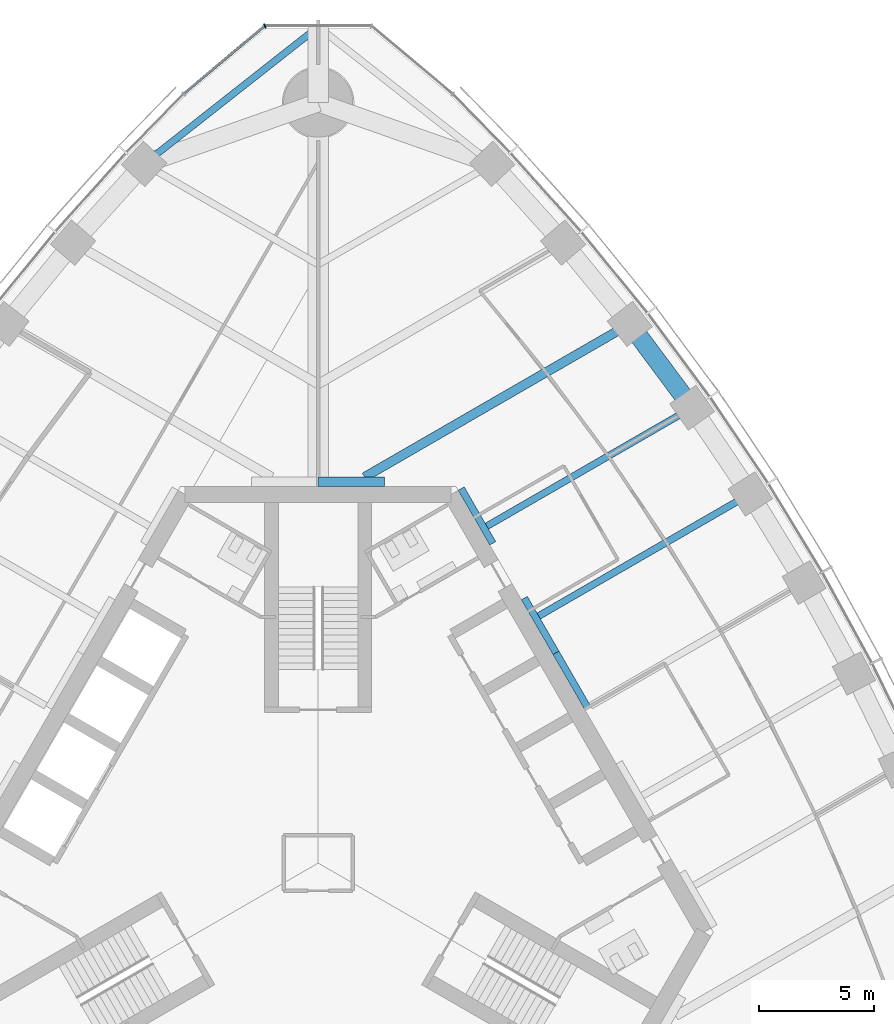
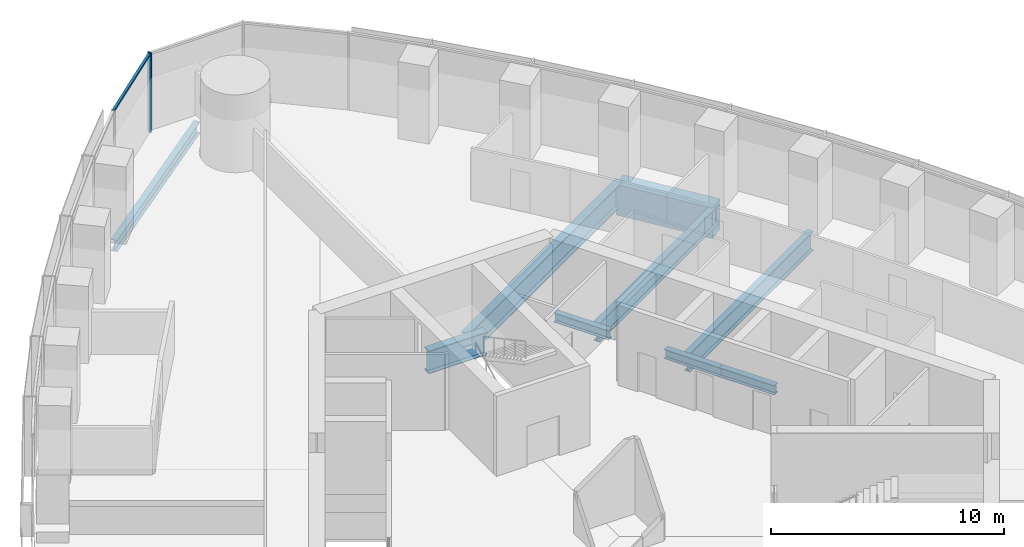
# One storey, part 6 of 19: 9 beams, 2 members, 1 element without a shape of its own.
"""IFC4 building model written with IfcOpenShell, lengths in metres."""

from ifc_helpers import new_model, si_unit, direction, frame, origin, origin_2d, place, context, subcontext, project, spatial, rectangle, i_section, extrude, material, material_profile, profile_set, type_object, element, aggregate, save


model = new_model("IFC4")

# Units and contexts
model_context = context("Model", 3, precision=1e-05, world=origin(), true_north=direction((0.0, 1.0)))
body_context = subcontext(model_context, "Body", "Model", "MODEL_VIEW")
ifc_project = project(units=[si_unit("LENGTHUNIT", "METRE"), si_unit("AREAUNIT", "SQUARE_METRE"), si_unit("VOLUMEUNIT", "CUBIC_METRE"), si_unit("PLANEANGLEUNIT", "RADIAN"), si_unit("MASSUNIT", "GRAM", prefix="KILO")], contexts=[model_context])

# Site, building, storey
site_placement = place(None, origin())
site = spatial("IfcSite", under=ifc_project, at=site_placement, CompositionType="ELEMENT")
building_placement = place(site_placement, origin())
building = spatial("IfcBuilding", under=site, at=building_placement, Name="Trefoil Bronze Tower", CompositionType="ELEMENT")
storey_placement = place(building_placement, frame((0.0, 0.0, 256.89990234375)))
storey = spatial("IfcBuildingStorey", under=building, at=storey_placement, Name="L59", CompositionType="ELEMENT", Elevation=256.89990234375)

# Curtain wall, members
ifc_material_1 = material(Name="Tinted solar-control glass", Category="glass")
curtain_wall_type = type_object("IfcCurtainWallType", Name="Bronze rounded corner curtain wall", PredefinedType="USERDEFINED", material=ifc_material_1)
curtain_wall_placement = place(storey_placement, origin())
curtain_wall = element("IfcCurtainWall", 1, at=curtain_wall_placement, inside=storey, type_object=curtain_wall_type, Name="CW-B L59 K2", ObjectType="CURTAIN WALL", PredefinedType="USERDEFINED")
ifc_material_2 = material(Name="Bronze-finish aluminium", Category="aluminium")
ifc_material_profile_1 = material_profile(ifc_material_2, rectangle(XDim=0.199951171875, YDim=0.06005859375, at=origin_2d()), Name="CW-B mullion")
ifc_profile_set_1 = profile_set([ifc_material_profile_1], Name="Bronze-finish aluminium")
member_type_1 = type_object("IfcMemberType", Name="Bronze rounded corner curtain wall mullion", PredefinedType="MULLION", material=ifc_profile_set_1)
member_1_placement = place(storey_placement, frame((-2.314453125, 36.326416015625, 0.0), z_axis=(0.0, 0.0, 1.0), x_axis=(0.342020143326, -0.939692620786, 0.0)))
member_1 = element("IfcMember", 2, at=member_1_placement, type_object=member_type_1, Name="CW-B L59 K2 mullion 3", PredefinedType="MULLION", context=body_context, shape_type="SweptSolid", body=[
    extrude(rectangle(XDim=0.199951171875, YDim=0.06005859375, at=origin_2d()), origin(), (0.0, 0.0, 1.0), 4.18017578125),
])
ifc_material_3 = material(Name="Bronze-finish aluminium", Category="aluminium")
ifc_material_profile_2 = material_profile(ifc_material_3, rectangle(XDim=0.1201171875, YDim=0.10009765625, at=origin_2d()), Name="CW-B transom")
ifc_profile_set_2 = profile_set([ifc_material_profile_2], Name="Bronze-finish aluminium")
member_type_2 = type_object("IfcMemberType", Name="Bronze rounded corner curtain wall transom", PredefinedType="USERDEFINED", material=ifc_profile_set_2)
member_2_placement = place(storey_placement, frame((-2.367431640625, 36.289794921875, 4.130126953125), z_axis=(-0.766046761698, -0.642784846501, 0.0), x_axis=(0.642784846501, -0.766046761698, 0.0)))
member_2 = element("IfcMember", 3, at=member_2_placement, type_object=member_type_2, Name="CW-B L59 K2 transom 3", ObjectType="TRANSOM", PredefinedType="USERDEFINED", context=body_context, shape_type="SweptSolid", body=[
    extrude(rectangle(XDim=0.1201171875, YDim=0.10009765625, at=origin_2d()), origin(), (0.0, 0.0, 1.0), 4.5),
])
aggregate(curtain_wall, [member_1, member_2])

# Beams
ifc_material_4 = material(Name="Steel C355", Category="steel")
ifc_material_profile_3 = material_profile(ifc_material_4, i_section(OverallWidth=0.300048828125, OverallDepth=0.5, WebThickness=0.014404296875, FlangeThickness=0.028076171875, FilletRadius=0.027099609375, at=origin_2d()), Name="HEB 500")
ifc_profile_set_3 = profile_set([ifc_material_profile_3], Name="Steel C355")
beam_type_1 = type_object("IfcBeamType", Name="Core seat beam HEB 500", PredefinedType="BEAM", material=ifc_profile_set_3)
for number, where, z_axis, x_axis, name in (
    (4, (11.69140625, 6.75, -0.449951171875), (-0.500035825175, 0.866004719122, 0.0), (-0.866004719122, -0.500035825175, 0.0), "Core seat beam F2/+0 L59"),
    (5, (10.320068359375, 9.125, -0.449951171875), (-0.499969057507, 0.866043267704, 0.0), (-0.866043267704, -0.499969057507, 0.0), "Core seat beam F2/+1 L59"),
    (6, (7.57763671875, 13.875, -0.449951171875), (-0.499969057507, 0.866043267704, 0.0), (-0.866043267704, -0.499969057507, 0.0), "Core seat beam F2/+2 L59"),
):
    element("IfcBeam", number, at=place(storey_placement, frame(where, z_axis=z_axis, x_axis=x_axis)), inside=storey, type_object=beam_type_1, Name=name, PredefinedType="BEAM", context=body_context, shape_type="SweptSolid", body=[
        extrude(i_section(OverallWidth=0.300048828125, OverallDepth=0.5, WebThickness=0.014404296875, FlangeThickness=0.028076171875, FilletRadius=0.027099609375, at=origin_2d()), origin(), (0.0, 0.0, 1.0), 2.742431640625),
    ])
ifc_material_5 = material(Name="Steel C355", Category="steel")
ifc_material_profile_4 = material_profile(ifc_material_5, i_section(OverallWidth=0.39990234375, OverallDepth=1.199951171875, WebThickness=0.02001953125, FlangeThickness=0.0400390625, FilletRadius=0.010009765625, at=origin_2d()), Name="WPG 1200")
ifc_profile_set_4 = profile_set([ifc_material_profile_4], Name="Steel C355")
beam_type_2 = type_object("IfcBeamType", Name="Core seat beam WPG 1200", PredefinedType="BEAM", material=ifc_profile_set_4)
beam_1_placement = place(storey_placement, frame((2.88671875, 16.550048828125, -0.7998046875), z_axis=(-1.0, 0.0, 0.0), x_axis=(0.0, -1.0, 0.0)))
element("IfcBeam", 7, at=beam_1_placement, inside=storey, type_object=beam_type_2, Name="Core seat beam F2/+3 L59", PredefinedType="BEAM", context=body_context, shape_type="SweptSolid", body=[
    extrude(i_section(OverallWidth=0.39990234375, OverallDepth=1.199951171875, WebThickness=0.02001953125, FlangeThickness=0.0400390625, FilletRadius=0.010009765625, at=origin_2d()), origin(), (0.0, 0.0, 1.0), 2.88671875),
])
ifc_material_6 = material(Name="Steel C355", Category="steel")
ifc_material_profile_5 = material_profile(ifc_material_6, i_section(OverallWidth=0.300048828125, OverallDepth=0.60009765625, WebThickness=0.015380859375, FlangeThickness=0.030029296875, FilletRadius=0.027099609375, at=origin_2d()), Name="HEB 600")
ifc_profile_set_5 = profile_set([ifc_material_profile_5], Name="Steel C355")
beam_type_3 = type_object("IfcBeamType", Name="Corner edge beam HEB 600", PredefinedType="BEAM", material=ifc_profile_set_5)
beam_2_placement = place(storey_placement, frame((-7.552001953125, 30.3408203125, -0.5), z_axis=(0.785805912008, 0.618473175371, 0.0), x_axis=(-0.618473175371, 0.785805912008, 0.0)))
element("IfcBeam", 8, at=beam_2_placement, inside=storey, type_object=beam_type_3, Name="Corner edge beam F3B L59", PredefinedType="BEAM", context=body_context, shape_type="SweptSolid", body=[
    extrude(i_section(OverallWidth=0.300048828125, OverallDepth=0.60009765625, WebThickness=0.015380859375, FlangeThickness=0.030029296875, FilletRadius=0.027099609375, at=origin_2d()), origin(), (0.0, 0.0, 1.0), 9.610595703125),
])
ifc_material_7 = material(Name="Steel C355", Category="steel")
ifc_material_profile_6 = material_profile(ifc_material_7, i_section(OverallWidth=0.300048828125, OverallDepth=1.0, WebThickness=0.01904296875, FlangeThickness=0.035888671875, FilletRadius=0.030029296875, at=origin_2d()), Name="HEB 1000")
ifc_profile_set_6 = profile_set([ifc_material_profile_6], Name="Steel C355")
beam_type_4 = type_object("IfcBeamType", Name="Floor beam HEB 1000", PredefinedType="BEAM", material=ifc_profile_set_6)
beam_3_placement = place(storey_placement, frame((16.2265625, 19.7607421875, -0.699951171875), z_axis=(-0.866019527493, -0.500010177898, 0.0), x_axis=(0.500010177898, -0.866019527493, 0.0)))
element("IfcBeam", 9, at=beam_3_placement, inside=storey, type_object=beam_type_4, Name="Floor beam F2/+2 L59", PredefinedType="BEAM", context=body_context, shape_type="SweptSolid", body=[
    extrude(i_section(OverallWidth=0.300048828125, OverallDepth=1.0, WebThickness=0.01904296875, FlangeThickness=0.035888671875, FilletRadius=0.030029296875, at=origin_2d()), origin(), (0.0, 0.0, 1.0), 10.282958984375),
])
ifc_material_8 = material(Name="Steel C355", Category="steel")
ifc_material_profile_7 = material_profile(ifc_material_8, i_section(OverallWidth=0.302001953125, OverallDepth=1.008056640625, WebThickness=0.02099609375, FlangeThickness=0.0400390625, FilletRadius=0.030029296875, at=origin_2d()), Name="HEM 1000")
ifc_profile_set_7 = profile_set([ifc_material_profile_7], Name="Steel C355")
beam_type_5 = type_object("IfcBeamType", Name="Floor beam HEM 1000", PredefinedType="BEAM", material=ifc_profile_set_7)
beam_4_placement = place(storey_placement, frame((18.748046875, 16.020263671875, -0.703857421875), z_axis=(-0.86602981261, -0.499992363612, 0.0), x_axis=(0.499992363612, -0.86602981261, 0.0)))
element("IfcBeam", 10, at=beam_4_placement, inside=storey, type_object=beam_type_5, Name="Floor beam F2/+1 L59", PredefinedType="BEAM", context=body_context, shape_type="SweptSolid", body=[
    extrude(i_section(OverallWidth=0.302001953125, OverallDepth=1.008056640625, WebThickness=0.02099609375, FlangeThickness=0.0400390625, FilletRadius=0.030029296875, at=origin_2d()), origin(), (0.0, 0.0, 1.0), 10.596435546875),
])
ifc_material_9 = material(Name="Steel C355", Category="steel")
ifc_material_profile_8 = material_profile(ifc_material_9, i_section(OverallWidth=0.39990234375, OverallDepth=1.199951171875, WebThickness=0.02001953125, FlangeThickness=0.0400390625, FilletRadius=0.010009765625, at=origin_2d()), Name="WPG 1200")
ifc_profile_set_8 = profile_set([ifc_material_profile_8], Name="Steel C355")
beam_type_6 = type_object("IfcBeamType", Name="Floor beam WPG 1200", PredefinedType="BEAM", material=ifc_profile_set_8)
beam_5_placement = place(storey_placement, frame((13.522216796875, 23.3955078125, -0.7998046875), z_axis=(-0.866023461342, -0.500003364394, 0.0), x_axis=(0.500003364394, -0.866023461342, 0.0)))
element("IfcBeam", 11, at=beam_5_placement, inside=storey, type_object=beam_type_6, Name="Floor beam F2/+3 L59", PredefinedType="BEAM", context=body_context, shape_type="SweptSolid", body=[
    extrude(i_section(OverallWidth=0.39990234375, OverallDepth=1.199951171875, WebThickness=0.02001953125, FlangeThickness=0.0400390625, FilletRadius=0.010009765625, at=origin_2d()), origin(), (0.0, 0.0, 1.0), 13.291015625),
])
ifc_material_10 = material(Name="Concrete B80", Category="concrete")
ifc_material_profile_9 = material_profile(ifc_material_10, rectangle(XDim=0.800048828125, YDim=1.60009765625, at=origin_2d()), Name="RC 800x1600")
ifc_profile_set_9 = profile_set([ifc_material_profile_9], Name="Concrete B80")
beam_type_7 = type_object("IfcBeamType", Name="Spandrel beam RC 800x1600", PredefinedType="SPANDREL", material=ifc_profile_set_9)
beam_6_placement = place(storey_placement, frame((16.2265625, 19.7607421875, -1.0), z_axis=(-0.596926078257, 0.802296240236, 0.0), x_axis=(-0.802296240236, -0.596926078257, 0.0)))
element("IfcBeam", 12, at=beam_6_placement, inside=storey, type_object=beam_type_7, Name="Spandrel F2.9 L59", PredefinedType="SPANDREL", context=body_context, shape_type="SweptSolid", body=[
    extrude(rectangle(XDim=0.800048828125, YDim=1.60009765625, at=origin_2d()), origin(), (0.0, 0.0, 1.0), 4.530517578125),
])

save(model, "model.ifc")
